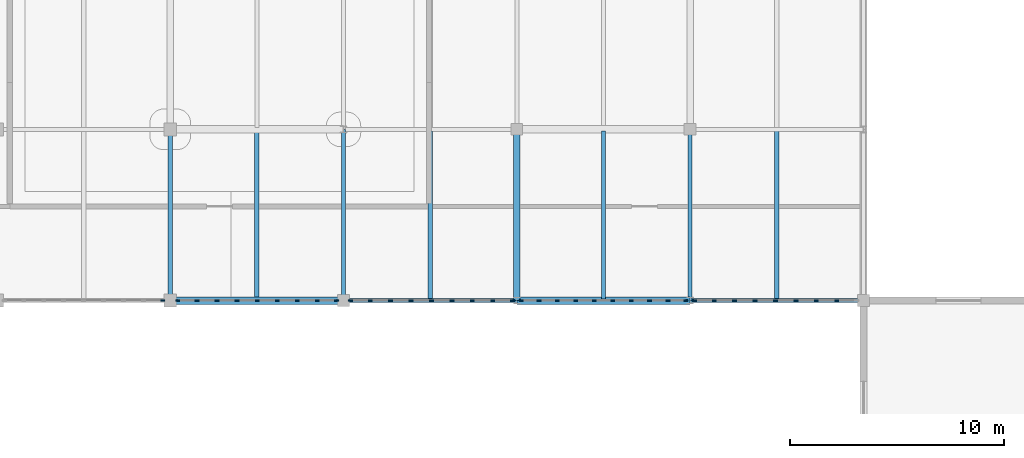
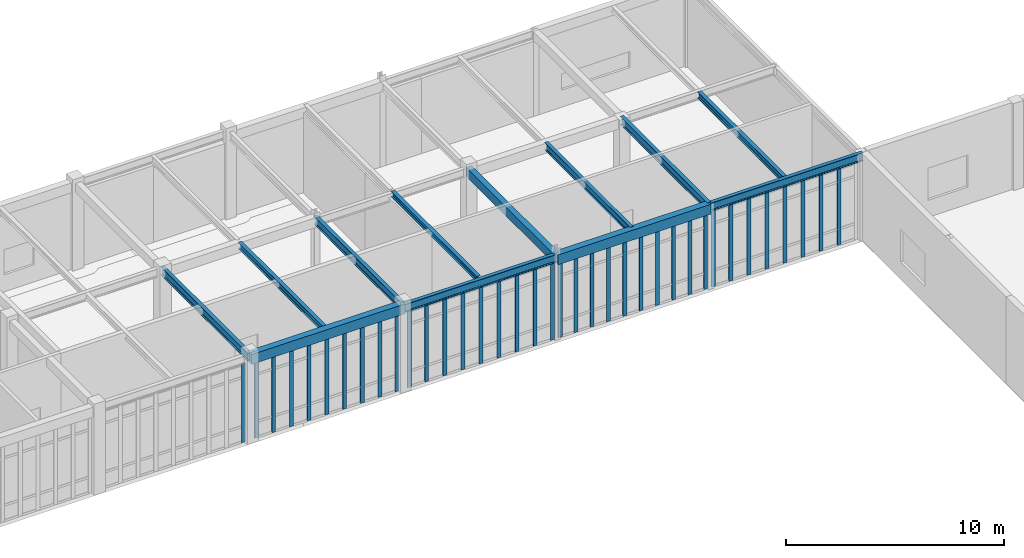
# One storey, part 24 of 70: 37 members, 12 beams, 5 elements without a shape of their own.
"""IFC4 building model written with IfcOpenShell, lengths in metres."""

from ifc_helpers import new_model, si_unit, direction, frame, origin, origin_2d, place, context, subcontext, project, spatial, rectangle, i_section, extrude, material, material_profile, profile_set, type_object, element, aggregate, save


model = new_model("IFC4")

# Units and contexts
model_context = context("Model", 3, precision=1e-05, world=origin(), true_north=direction((0.0, 1.0)))
body_context = subcontext(model_context, "Body", "Model", "MODEL_VIEW")
ifc_project = project(units=[si_unit("LENGTHUNIT", "METRE"), si_unit("AREAUNIT", "SQUARE_METRE"), si_unit("VOLUMEUNIT", "CUBIC_METRE"), si_unit("PLANEANGLEUNIT", "RADIAN"), si_unit("MASSUNIT", "GRAM", prefix="KILO")], contexts=[model_context])

# Site, building, storey
site_placement = place(None, origin())
site = spatial("IfcSite", under=ifc_project, at=site_placement, CompositionType="ELEMENT")
building_placement = place(site_placement, origin())
building = spatial("IfcBuilding", under=site, at=building_placement, Name="Tarnveldt Square Police Headquarters", CompositionType="ELEMENT")
storey_placement = place(building_placement, frame((0.0, 0.0, 19.800048828125)))
storey = spatial("IfcBuildingStorey", under=building, at=storey_placement, Name="L04", CompositionType="ELEMENT", Elevation=19.800048828125)

# Beams
ifc_material_1 = material(Name="Concrete 40 MPa", Category="concrete")
ifc_material_profile_1 = material_profile(ifc_material_1, rectangle(XDim=0.300048828125, YDim=0.5, at=origin_2d()), Name="RC-B300x500")
ifc_profile_set_1 = profile_set([ifc_material_profile_1], Name="Concrete 40 MPa")
beam_type_1 = type_object("IfcBeamType", Name="BM-RC300x500", PredefinedType="BEAM", material=ifc_profile_set_1)
beam_1_placement = place(storey_placement, frame((89.10009765625, 96.0, 4.510009765625), z_axis=(0.0, 1.0, 0.0), x_axis=(-1.0, 0.0, 0.0)))
element("IfcBeam", 1, at=beam_1_placement, inside=storey, type_object=beam_type_1, Name="L05 Grid Girder Y-1003", PredefinedType="BEAM", context=body_context, shape_type="SweptSolid", body=[
    extrude(rectangle(XDim=0.300048828125, YDim=0.5, at=origin_2d()), origin(), (0.0, 0.0, 1.0), 8.0),
])
ifc_material_profile_2 = material_profile(ifc_material_1, rectangle(XDim=0.35009765625, YDim=0.550048828125, at=origin_2d()), Name="RC-B350x550")
ifc_profile_set_2 = profile_set([ifc_material_profile_2], Name="Concrete 40 MPa")
beam_type_2 = type_object("IfcBeamType", Name="BM-RC350x550", PredefinedType="BEAM", material=ifc_profile_set_2)
beam_2_placement = place(storey_placement, frame((72.89990234375, 96.0, 4.5849609375), z_axis=(1.0, 0.0, 0.0), x_axis=(0.0, 1.0, 0.0)))
element("IfcBeam", 2, at=beam_2_placement, inside=storey, type_object=beam_type_2, Name="L05 Grid Girder X-0944", PredefinedType="BEAM", context=body_context, shape_type="SweptSolid", body=[
    extrude(rectangle(XDim=0.35009765625, YDim=0.550048828125, at=origin_2d()), origin(), (0.0, 0.0, 1.0), 8.10009765625),
])
beam_3_placement = place(storey_placement, frame((89.10009765625, 96.0, 4.48486328125), z_axis=(1.0, 0.0, 0.0), x_axis=(0.0, 1.0, 0.0)))
element("IfcBeam", 3, at=beam_3_placement, inside=storey, type_object=beam_type_2, Name="L05 Grid Girder X-0946", PredefinedType="BEAM", context=body_context, shape_type="SweptSolid", body=[
    extrude(rectangle(XDim=0.35009765625, YDim=0.550048828125, at=origin_2d()), origin(), (0.0, 0.0, 1.0), 8.099853515625),
])
ifc_material_2 = material(Name="Steel 350W", Category="steel")
ifc_material_profile_3 = material_profile(ifc_material_2, i_section(OverallWidth=0.202880859375, OverallDepth=0.302978515625, WebThickness=0.007568359375, FlangeThickness=0.01318359375, FilletRadius=0.014892578125, at=origin_2d()), Name="W310x60")
ifc_profile_set_3 = profile_set([ifc_material_profile_3], Name="Steel 350W")
beam_type_3 = type_object("IfcBeamType", Name="BM-W310x60", PredefinedType="JOIST", material=ifc_profile_set_3)
beam_4_placement = place(storey_placement, frame((85.050048828125, 96.080078125, 4.70849609375), z_axis=(0.0, 1.0, 0.0), x_axis=(-1.0, 0.0, 0.0)))
element("IfcBeam", 4, at=beam_4_placement, inside=storey, type_object=beam_type_3, Name="L05 Secondary Floor Joist 0228", PredefinedType="JOIST", context=body_context, shape_type="SweptSolid", body=[
    extrude(i_section(OverallWidth=0.202880859375, OverallDepth=0.302978515625, WebThickness=0.007568359375, FlangeThickness=0.01318359375, FilletRadius=0.014892578125, at=origin_2d()), origin(), (0.0, 0.0, 1.0), 7.83984375),
])
ifc_material_profile_4 = material_profile(ifc_material_2, i_section(OverallWidth=0.202880859375, OverallDepth=0.346923828125, WebThickness=0.0078125, FlangeThickness=0.013427734375, FilletRadius=0.01611328125, at=origin_2d()), Name="W360x64")
ifc_profile_set_4 = profile_set([ifc_material_profile_4], Name="Steel 350W")
beam_type_4 = type_object("IfcBeamType", Name="BM-W360x64", PredefinedType="JOIST", material=ifc_profile_set_4)
beam_5_placement = place(storey_placement, frame((76.949951171875, 96.080078125, 4.6865234375), z_axis=(0.0, 1.0, 0.0), x_axis=(-1.0, 0.0, 0.0)))
element("IfcBeam", 5, at=beam_5_placement, inside=storey, type_object=beam_type_4, Name="L05 Secondary Floor Joist 0227", PredefinedType="JOIST", context=body_context, shape_type="SweptSolid", body=[
    extrude(i_section(OverallWidth=0.202880859375, OverallDepth=0.346923828125, WebThickness=0.0078125, FlangeThickness=0.013427734375, FilletRadius=0.01611328125, at=origin_2d()), origin(), (0.0, 0.0, 1.0), 7.83984375),
])
ifc_material_profile_5 = material_profile(ifc_material_2, i_section(OverallWidth=0.205078125, OverallDepth=0.35400390625, WebThickness=0.009521484375, FlangeThickness=0.016845703125, FilletRadius=0.01611328125, at=origin_2d()), Name="W360x79")
ifc_profile_set_5 = profile_set([ifc_material_profile_5], Name="Steel 350W")
beam_type_5 = type_object("IfcBeamType", Name="BM-W360x79", PredefinedType="JOIST", material=ifc_profile_set_5)
beam_6_placement = place(storey_placement, frame((101.25, 96.080078125, 4.5830078125), z_axis=(0.0, 1.0, 0.0), x_axis=(-1.0, 0.0, 0.0)))
element("IfcBeam", 6, at=beam_6_placement, inside=storey, type_object=beam_type_5, Name="L05 Secondary Floor Joist 0230", PredefinedType="JOIST", context=body_context, shape_type="SweptSolid", body=[
    extrude(i_section(OverallWidth=0.205078125, OverallDepth=0.35400390625, WebThickness=0.009521484375, FlangeThickness=0.016845703125, FilletRadius=0.01611328125, at=origin_2d()), origin(), (0.0, 0.0, 1.0), 7.83984375),
])
ifc_material_profile_6 = material_profile(ifc_material_2, i_section(OverallWidth=0.177978515625, OverallDepth=0.406982421875, WebThickness=0.0078125, FlangeThickness=0.0126953125, FilletRadius=0.01611328125, at=origin_2d()), Name="W410x60")
ifc_profile_set_6 = profile_set([ifc_material_profile_6], Name="Steel 350W")
beam_type_6 = type_object("IfcBeamType", Name="BM-W410x60", PredefinedType="JOIST", material=ifc_profile_set_6)
beam_7_placement = place(storey_placement, frame((93.14990234375, 96.080078125, 4.556396484375), z_axis=(0.0, 1.0, 0.0), x_axis=(-1.0, 0.0, 0.0)))
element("IfcBeam", 7, at=beam_7_placement, inside=storey, type_object=beam_type_6, Name="L05 Secondary Floor Joist 0229", PredefinedType="JOIST", context=body_context, shape_type="SweptSolid", body=[
    extrude(i_section(OverallWidth=0.177978515625, OverallDepth=0.406982421875, WebThickness=0.0078125, FlangeThickness=0.0126953125, FilletRadius=0.01611328125, at=origin_2d()), origin(), (0.0, 0.0, 1.0), 7.83984375),
])
ifc_material_profile_7 = material_profile(ifc_material_2, i_section(OverallWidth=0.19189453125, OverallDepth=0.462890625, WebThickness=0.010498046875, FlangeThickness=0.017578125, FilletRadius=0.01806640625, at=origin_2d()), Name="W460x89")
ifc_profile_set_7 = profile_set([ifc_material_profile_7], Name="Steel 350W")
beam_type_7 = type_object("IfcBeamType", Name="BM-W460x89", PredefinedType="BEAM", material=ifc_profile_set_7)
for number, where, z_axis, x_axis, name in (
    (8, (81.0, 96.0, 4.528564453125), (1.0, 0.0, 0.0), (0.0, 1.0, 0.0), "L05 Grid Girder X-0945"),
    (9, (97.199951171875, 96.0, 4.528564453125), (1.0, 0.0, 0.0), (0.0, 1.0, 0.0), "L05 Grid Girder X-0947"),
):
    element("IfcBeam", number, at=place(storey_placement, frame(where, z_axis=z_axis, x_axis=x_axis)), inside=storey, type_object=beam_type_7, Name=name, PredefinedType="BEAM", context=body_context, shape_type="SweptSolid", body=[
        extrude(i_section(OverallWidth=0.19189453125, OverallDepth=0.462890625, WebThickness=0.010498046875, FlangeThickness=0.017578125, FilletRadius=0.01806640625, at=origin_2d()), origin(), (0.0, 0.0, 1.0), 8.10009765625),
    ])
for number, where, z_axis, x_axis, name in (
    (10, (72.89990234375, 96.0, 4.62841796875), (0.0, 1.0, 0.0), (-1.0, 0.0, 0.0), "L05 Grid Girder Y-0999"),
    (11, (81.0, 96.0, 4.62841796875), (0.0, 1.0, 0.0), (-1.0, 0.0, 0.0), "L05 Grid Girder Y-1001"),
    (12, (97.199951171875, 96.0, 4.528564453125), (0.0, 1.0, 0.0), (-1.0, 0.0, 0.0), "L05 Grid Girder Y-1005"),
):
    element("IfcBeam", number, at=place(storey_placement, frame(where, z_axis=z_axis, x_axis=x_axis)), inside=storey, type_object=beam_type_7, Name=name, PredefinedType="BEAM", context=body_context, shape_type="SweptSolid", body=[
        extrude(i_section(OverallWidth=0.19189453125, OverallDepth=0.462890625, WebThickness=0.010498046875, FlangeThickness=0.017578125, FilletRadius=0.01806640625, at=origin_2d()), origin(), (0.0, 0.0, 1.0), 8.0),
    ])

# Curtain wall, member
ifc_material_3 = material(Name="Triple-glazed low-e laminated vision glass", Category="glass")
curtain_wall_type_1 = type_object("IfcCurtainWallType", Name="CW-LB-747x439", PredefinedType="USERDEFINED", material=ifc_material_3)
curtain_wall_1_placement = place(storey_placement, origin())
curtain_wall_1 = element("IfcCurtainWall", 13, at=curtain_wall_1_placement, inside=storey, type_object=curtain_wall_type_1, Name="L04 Curtain Wall CW-L04-128", ObjectType="GLAZED CURTAIN WALL", PredefinedType="USERDEFINED")
ifc_material_4 = material(Name="Thermally broken anodised aluminium 6063-T6", Category="aluminium")
ifc_material_profile_8 = material_profile(ifc_material_4, rectangle(XDim=0.074951171875, YDim=0.199951171875, at=origin_2d()), Name="CW-M75x200")
ifc_profile_set_8 = profile_set([ifc_material_profile_8], Name="Thermally broken anodised aluminium 6063-T6")
member_type = type_object("IfcMemberType", Name="CWM-75x200", PredefinedType="MULLION", material=ifc_profile_set_8)
member_1_placement = place(storey_placement, frame((72.547607421875, 96.0, 0.0), z_axis=(0.0, 0.0, 1.0), x_axis=(0.0, 1.0, 0.0)))
member_1 = element("IfcMember", 14, at=member_1_placement, type_object=member_type, Name="CW-LB77 mullion 9", PredefinedType="MULLION", context=body_context, shape_type="SweptSolid", body=[
    extrude(rectangle(XDim=0.074951171875, YDim=0.199951171875, at=origin_2d()), origin(), (0.0, 0.0, 1.0), 4.388916015625),
])
aggregate(curtain_wall_1, [member_1])

# Curtain wall, members
curtain_wall_type_2 = type_object("IfcCurtainWallType", Name="CW-LB-749x430", PredefinedType="USERDEFINED", material=ifc_material_3)
curtain_wall_2_placement = place(storey_placement, origin())
curtain_wall_2 = element("IfcCurtainWall", 15, at=curtain_wall_2_placement, inside=storey, type_object=curtain_wall_type_2, Name="L04 Curtain Wall CW-L04-129", ObjectType="GLAZED CURTAIN WALL", PredefinedType="USERDEFINED")
member_2_placement = place(storey_placement, frame((73.25244140625, 96.0, 0.0), z_axis=(0.0, 0.0, 1.0), x_axis=(0.0, 1.0, 0.0)))
member_2 = element("IfcMember", 16, at=member_2_placement, type_object=member_type, Name="CW-LB73 mullion 1", PredefinedType="MULLION", context=body_context, shape_type="SweptSolid", body=[
    extrude(rectangle(XDim=0.074951171875, YDim=0.199951171875, at=origin_2d()), origin(), (0.0, 0.0, 1.0), 4.302001953125),
])
member_3_placement = place(storey_placement, frame((74.15185546875, 96.0, 0.0), z_axis=(0.0, 0.0, 1.0), x_axis=(0.0, 1.0, 0.0)))
member_3 = element("IfcMember", 17, at=member_3_placement, type_object=member_type, Name="CW-LB73 mullion 2", PredefinedType="MULLION", context=body_context, shape_type="SweptSolid", body=[
    extrude(rectangle(XDim=0.074951171875, YDim=0.199951171875, at=origin_2d()), origin(), (0.0, 0.0, 1.0), 4.302001953125),
])
member_4_placement = place(storey_placement, frame((75.0888671875, 96.0, 0.0), z_axis=(0.0, 0.0, 1.0), x_axis=(0.0, 1.0, 0.0)))
member_4 = element("IfcMember", 18, at=member_4_placement, type_object=member_type, Name="CW-LB73 mullion 3", PredefinedType="MULLION", context=body_context, shape_type="SweptSolid", body=[
    extrude(rectangle(XDim=0.074951171875, YDim=0.199951171875, at=origin_2d()), origin(), (0.0, 0.0, 1.0), 4.302001953125),
])
member_5_placement = place(storey_placement, frame((76.025634765625, 96.0, 0.0), z_axis=(0.0, 0.0, 1.0), x_axis=(0.0, 1.0, 0.0)))
member_5 = element("IfcMember", 19, at=member_5_placement, type_object=member_type, Name="CW-LB73 mullion 4", PredefinedType="MULLION", context=body_context, shape_type="SweptSolid", body=[
    extrude(rectangle(XDim=0.074951171875, YDim=0.199951171875, at=origin_2d()), origin(), (0.0, 0.0, 1.0), 4.302001953125),
])
member_6_placement = place(storey_placement, frame((76.96240234375, 96.0, 0.0), z_axis=(0.0, 0.0, 1.0), x_axis=(0.0, 1.0, 0.0)))
member_6 = element("IfcMember", 20, at=member_6_placement, type_object=member_type, Name="CW-LB73 mullion 5", PredefinedType="MULLION", context=body_context, shape_type="SweptSolid", body=[
    extrude(rectangle(XDim=0.074951171875, YDim=0.199951171875, at=origin_2d()), origin(), (0.0, 0.0, 1.0), 4.302001953125),
])
member_7_placement = place(storey_placement, frame((77.8994140625, 96.0, 0.0), z_axis=(0.0, 0.0, 1.0), x_axis=(0.0, 1.0, 0.0)))
member_7 = element("IfcMember", 21, at=member_7_placement, type_object=member_type, Name="CW-LB73 mullion 6", PredefinedType="MULLION", context=body_context, shape_type="SweptSolid", body=[
    extrude(rectangle(XDim=0.074951171875, YDim=0.199951171875, at=origin_2d()), origin(), (0.0, 0.0, 1.0), 4.302001953125),
])
member_8_placement = place(storey_placement, frame((78.836181640625, 96.0, 0.0), z_axis=(0.0, 0.0, 1.0), x_axis=(0.0, 1.0, 0.0)))
member_8 = element("IfcMember", 22, at=member_8_placement, type_object=member_type, Name="CW-LB73 mullion 7", PredefinedType="MULLION", context=body_context, shape_type="SweptSolid", body=[
    extrude(rectangle(XDim=0.074951171875, YDim=0.199951171875, at=origin_2d()), origin(), (0.0, 0.0, 1.0), 4.302001953125),
])
member_9_placement = place(storey_placement, frame((79.773193359375, 96.0, 0.0), z_axis=(0.0, 0.0, 1.0), x_axis=(0.0, 1.0, 0.0)))
member_9 = element("IfcMember", 23, at=member_9_placement, type_object=member_type, Name="CW-LB73 mullion 8", PredefinedType="MULLION", context=body_context, shape_type="SweptSolid", body=[
    extrude(rectangle(XDim=0.074951171875, YDim=0.199951171875, at=origin_2d()), origin(), (0.0, 0.0, 1.0), 4.302001953125),
])
member_10_placement = place(storey_placement, frame((80.672607421875, 96.0, 0.0), z_axis=(0.0, 0.0, 1.0), x_axis=(0.0, 1.0, 0.0)))
member_10 = element("IfcMember", 24, at=member_10_placement, type_object=member_type, Name="CW-LB73 mullion 9", PredefinedType="MULLION", context=body_context, shape_type="SweptSolid", body=[
    extrude(rectangle(XDim=0.074951171875, YDim=0.199951171875, at=origin_2d()), origin(), (0.0, 0.0, 1.0), 4.302001953125),
])
aggregate(curtain_wall_2, [member_2, member_3, member_4, member_5, member_6, member_7, member_8, member_9, member_10])

curtain_wall_type_3 = type_object("IfcCurtainWallType", Name="CW-LB-764x429", PredefinedType="USERDEFINED", material=ifc_material_3)
curtain_wall_3_placement = place(storey_placement, origin())
curtain_wall_3 = element("IfcCurtainWall", 25, at=curtain_wall_3_placement, inside=storey, type_object=curtain_wall_type_3, Name="L04 Curtain Wall CW-L04-130", ObjectType="GLAZED CURTAIN WALL", PredefinedType="USERDEFINED")
member_11_placement = place(storey_placement, frame((81.327392578125, 96.0, 0.0), z_axis=(0.0, 0.0, 1.0), x_axis=(0.0, 1.0, 0.0)))
member_11 = element("IfcMember", 26, at=member_11_placement, type_object=member_type, Name="CW-LB78 mullion 1", PredefinedType="MULLION", context=body_context, shape_type="SweptSolid", body=[
    extrude(rectangle(XDim=0.074951171875, YDim=0.199951171875, at=origin_2d()), origin(), (0.0, 0.0, 1.0), 4.2890625),
])
member_12_placement = place(storey_placement, frame((82.2451171875, 96.0, 0.0), z_axis=(0.0, 0.0, 1.0), x_axis=(0.0, 1.0, 0.0)))
member_12 = element("IfcMember", 27, at=member_12_placement, type_object=member_type, Name="CW-LB78 mullion 2", PredefinedType="MULLION", context=body_context, shape_type="SweptSolid", body=[
    extrude(rectangle(XDim=0.074951171875, YDim=0.199951171875, at=origin_2d()), origin(), (0.0, 0.0, 1.0), 4.2890625),
])
member_13_placement = place(storey_placement, frame((83.2001953125, 96.0, 0.0), z_axis=(0.0, 0.0, 1.0), x_axis=(0.0, 1.0, 0.0)))
member_13 = element("IfcMember", 28, at=member_13_placement, type_object=member_type, Name="CW-LB78 mullion 3", PredefinedType="MULLION", context=body_context, shape_type="SweptSolid", body=[
    extrude(rectangle(XDim=0.074951171875, YDim=0.199951171875, at=origin_2d()), origin(), (0.0, 0.0, 1.0), 4.2890625),
])
member_14_placement = place(storey_placement, frame((84.1552734375, 96.0, 0.0), z_axis=(0.0, 0.0, 1.0), x_axis=(0.0, 1.0, 0.0)))
member_14 = element("IfcMember", 29, at=member_14_placement, type_object=member_type, Name="CW-LB78 mullion 4", PredefinedType="MULLION", context=body_context, shape_type="SweptSolid", body=[
    extrude(rectangle(XDim=0.074951171875, YDim=0.199951171875, at=origin_2d()), origin(), (0.0, 0.0, 1.0), 4.2890625),
])
member_15_placement = place(storey_placement, frame((85.110595703125, 96.0, 0.0), z_axis=(0.0, 0.0, 1.0), x_axis=(0.0, 1.0, 0.0)))
member_15 = element("IfcMember", 30, at=member_15_placement, type_object=member_type, Name="CW-LB78 mullion 5", PredefinedType="MULLION", context=body_context, shape_type="SweptSolid", body=[
    extrude(rectangle(XDim=0.074951171875, YDim=0.199951171875, at=origin_2d()), origin(), (0.0, 0.0, 1.0), 4.2890625),
])
member_16_placement = place(storey_placement, frame((86.065673828125, 96.0, 0.0), z_axis=(0.0, 0.0, 1.0), x_axis=(0.0, 1.0, 0.0)))
member_16 = element("IfcMember", 31, at=member_16_placement, type_object=member_type, Name="CW-LB78 mullion 6", PredefinedType="MULLION", context=body_context, shape_type="SweptSolid", body=[
    extrude(rectangle(XDim=0.074951171875, YDim=0.199951171875, at=origin_2d()), origin(), (0.0, 0.0, 1.0), 4.2890625),
])
member_17_placement = place(storey_placement, frame((87.020751953125, 96.0, 0.0), z_axis=(0.0, 0.0, 1.0), x_axis=(0.0, 1.0, 0.0)))
member_17 = element("IfcMember", 32, at=member_17_placement, type_object=member_type, Name="CW-LB78 mullion 7", PredefinedType="MULLION", context=body_context, shape_type="SweptSolid", body=[
    extrude(rectangle(XDim=0.074951171875, YDim=0.199951171875, at=origin_2d()), origin(), (0.0, 0.0, 1.0), 4.2890625),
])
member_18_placement = place(storey_placement, frame((87.975830078125, 96.0, 0.0), z_axis=(0.0, 0.0, 1.0), x_axis=(0.0, 1.0, 0.0)))
member_18 = element("IfcMember", 33, at=member_18_placement, type_object=member_type, Name="CW-LB78 mullion 8", PredefinedType="MULLION", context=body_context, shape_type="SweptSolid", body=[
    extrude(rectangle(XDim=0.074951171875, YDim=0.199951171875, at=origin_2d()), origin(), (0.0, 0.0, 1.0), 4.2890625),
])
member_19_placement = place(storey_placement, frame((88.8935546875, 96.0, 0.0), z_axis=(0.0, 0.0, 1.0), x_axis=(0.0, 1.0, 0.0)))
member_19 = element("IfcMember", 34, at=member_19_placement, type_object=member_type, Name="CW-LB78 mullion 9", PredefinedType="MULLION", context=body_context, shape_type="SweptSolid", body=[
    extrude(rectangle(XDim=0.074951171875, YDim=0.199951171875, at=origin_2d()), origin(), (0.0, 0.0, 1.0), 4.2890625),
])
aggregate(curtain_wall_3, [member_11, member_12, member_13, member_14, member_15, member_16, member_17, member_18, member_19])

curtain_wall_type_4 = type_object("IfcCurtainWallType", Name="CW-LB-776x420", PredefinedType="USERDEFINED", material=ifc_material_3)
curtain_wall_4_placement = place(storey_placement, origin())
curtain_wall_4 = element("IfcCurtainWall", 35, at=curtain_wall_4_placement, inside=storey, type_object=curtain_wall_type_4, Name="L04 Curtain Wall CW-L04-131", ObjectType="GLAZED CURTAIN WALL", PredefinedType="USERDEFINED")
member_20_placement = place(storey_placement, frame((89.306396484375, 96.0, 0.0), z_axis=(0.0, 0.0, 1.0), x_axis=(0.0, 1.0, 0.0)))
member_20 = element("IfcMember", 36, at=member_20_placement, type_object=member_type, Name="CW-LB79 mullion 1", PredefinedType="MULLION", context=body_context, shape_type="SweptSolid", body=[
    extrude(rectangle(XDim=0.074951171875, YDim=0.199951171875, at=origin_2d()), origin(), (0.0, 0.0, 1.0), 4.201904296875),
])
member_21_placement = place(storey_placement, frame((90.13134765625, 96.0, 0.0), z_axis=(0.0, 0.0, 1.0), x_axis=(0.0, 1.0, 0.0)))
member_21 = element("IfcMember", 37, at=member_21_placement, type_object=member_type, Name="CW-LB79 mullion 2", PredefinedType="MULLION", context=body_context, shape_type="SweptSolid", body=[
    extrude(rectangle(XDim=0.074951171875, YDim=0.199951171875, at=origin_2d()), origin(), (0.0, 0.0, 1.0), 4.201904296875),
])
member_22_placement = place(storey_placement, frame((90.993896484375, 96.0, 0.0), z_axis=(0.0, 0.0, 1.0), x_axis=(0.0, 1.0, 0.0)))
member_22 = element("IfcMember", 38, at=member_22_placement, type_object=member_type, Name="CW-LB79 mullion 3", PredefinedType="MULLION", context=body_context, shape_type="SweptSolid", body=[
    extrude(rectangle(XDim=0.074951171875, YDim=0.199951171875, at=origin_2d()), origin(), (0.0, 0.0, 1.0), 4.201904296875),
])
member_23_placement = place(storey_placement, frame((91.8564453125, 96.0, 0.0), z_axis=(0.0, 0.0, 1.0), x_axis=(0.0, 1.0, 0.0)))
member_23 = element("IfcMember", 39, at=member_23_placement, type_object=member_type, Name="CW-LB79 mullion 4", PredefinedType="MULLION", context=body_context, shape_type="SweptSolid", body=[
    extrude(rectangle(XDim=0.074951171875, YDim=0.199951171875, at=origin_2d()), origin(), (0.0, 0.0, 1.0), 4.201904296875),
])
member_24_placement = place(storey_placement, frame((92.71875, 96.0, 0.0), z_axis=(0.0, 0.0, 1.0), x_axis=(0.0, 1.0, 0.0)))
member_24 = element("IfcMember", 40, at=member_24_placement, type_object=member_type, Name="CW-LB79 mullion 5", PredefinedType="MULLION", context=body_context, shape_type="SweptSolid", body=[
    extrude(rectangle(XDim=0.074951171875, YDim=0.199951171875, at=origin_2d()), origin(), (0.0, 0.0, 1.0), 4.201904296875),
])
member_25_placement = place(storey_placement, frame((93.581298828125, 96.0, 0.0), z_axis=(0.0, 0.0, 1.0), x_axis=(0.0, 1.0, 0.0)))
member_25 = element("IfcMember", 41, at=member_25_placement, type_object=member_type, Name="CW-LB79 mullion 6", PredefinedType="MULLION", context=body_context, shape_type="SweptSolid", body=[
    extrude(rectangle(XDim=0.074951171875, YDim=0.199951171875, at=origin_2d()), origin(), (0.0, 0.0, 1.0), 4.201904296875),
])
member_26_placement = place(storey_placement, frame((94.443603515625, 96.0, 0.0), z_axis=(0.0, 0.0, 1.0), x_axis=(0.0, 1.0, 0.0)))
member_26 = element("IfcMember", 42, at=member_26_placement, type_object=member_type, Name="CW-LB79 mullion 7", PredefinedType="MULLION", context=body_context, shape_type="SweptSolid", body=[
    extrude(rectangle(XDim=0.074951171875, YDim=0.199951171875, at=origin_2d()), origin(), (0.0, 0.0, 1.0), 4.201904296875),
])
member_27_placement = place(storey_placement, frame((95.30615234375, 96.0, 0.0), z_axis=(0.0, 0.0, 1.0), x_axis=(0.0, 1.0, 0.0)))
member_27 = element("IfcMember", 43, at=member_27_placement, type_object=member_type, Name="CW-LB79 mullion 8", PredefinedType="MULLION", context=body_context, shape_type="SweptSolid", body=[
    extrude(rectangle(XDim=0.074951171875, YDim=0.199951171875, at=origin_2d()), origin(), (0.0, 0.0, 1.0), 4.201904296875),
])
member_28_placement = place(storey_placement, frame((96.16845703125, 96.0, 0.0), z_axis=(0.0, 0.0, 1.0), x_axis=(0.0, 1.0, 0.0)))
member_28 = element("IfcMember", 44, at=member_28_placement, type_object=member_type, Name="CW-LB79 mullion 9", PredefinedType="MULLION", context=body_context, shape_type="SweptSolid", body=[
    extrude(rectangle(XDim=0.074951171875, YDim=0.199951171875, at=origin_2d()), origin(), (0.0, 0.0, 1.0), 4.201904296875),
])
member_29_placement = place(storey_placement, frame((96.993408203125, 96.0, 0.0), z_axis=(0.0, 0.0, 1.0), x_axis=(0.0, 1.0, 0.0)))
member_29 = element("IfcMember", 45, at=member_29_placement, type_object=member_type, Name="CW-LB79 mullion 10", PredefinedType="MULLION", context=body_context, shape_type="SweptSolid", body=[
    extrude(rectangle(XDim=0.074951171875, YDim=0.199951171875, at=origin_2d()), origin(), (0.0, 0.0, 1.0), 4.201904296875),
])
aggregate(curtain_wall_4, [member_20, member_21, member_22, member_23, member_24, member_25, member_26, member_27, member_28, member_29])

curtain_wall_5_placement = place(storey_placement, origin())
curtain_wall_5 = element("IfcCurtainWall", 46, at=curtain_wall_5_placement, inside=storey, type_object=curtain_wall_type_3, Name="L04 Curtain Wall CW-L04-132", ObjectType="GLAZED CURTAIN WALL", PredefinedType="USERDEFINED")
member_30_placement = place(storey_placement, frame((97.406494140625, 96.0, 0.0), z_axis=(0.0, 0.0, 1.0), x_axis=(0.0, 1.0, 0.0)))
member_30 = element("IfcMember", 47, at=member_30_placement, type_object=member_type, Name="CW-LB78 mullion 1", PredefinedType="MULLION", context=body_context, shape_type="SweptSolid", body=[
    extrude(rectangle(XDim=0.074951171875, YDim=0.199951171875, at=origin_2d()), origin(), (0.0, 0.0, 1.0), 4.2890625),
])
member_31_placement = place(storey_placement, frame((98.32421875, 96.0, 0.0), z_axis=(0.0, 0.0, 1.0), x_axis=(0.0, 1.0, 0.0)))
member_31 = element("IfcMember", 48, at=member_31_placement, type_object=member_type, Name="CW-LB78 mullion 2", PredefinedType="MULLION", context=body_context, shape_type="SweptSolid", body=[
    extrude(rectangle(XDim=0.074951171875, YDim=0.199951171875, at=origin_2d()), origin(), (0.0, 0.0, 1.0), 4.2890625),
])
member_32_placement = place(storey_placement, frame((99.279296875, 96.0, 0.0), z_axis=(0.0, 0.0, 1.0), x_axis=(0.0, 1.0, 0.0)))
member_32 = element("IfcMember", 49, at=member_32_placement, type_object=member_type, Name="CW-LB78 mullion 3", PredefinedType="MULLION", context=body_context, shape_type="SweptSolid", body=[
    extrude(rectangle(XDim=0.074951171875, YDim=0.199951171875, at=origin_2d()), origin(), (0.0, 0.0, 1.0), 4.2890625),
])
member_33_placement = place(storey_placement, frame((100.234375, 96.0, 0.0), z_axis=(0.0, 0.0, 1.0), x_axis=(0.0, 1.0, 0.0)))
member_33 = element("IfcMember", 50, at=member_33_placement, type_object=member_type, Name="CW-LB78 mullion 4", PredefinedType="MULLION", context=body_context, shape_type="SweptSolid", body=[
    extrude(rectangle(XDim=0.074951171875, YDim=0.199951171875, at=origin_2d()), origin(), (0.0, 0.0, 1.0), 4.2890625),
])
member_34_placement = place(storey_placement, frame((101.189453125, 96.0, 0.0), z_axis=(0.0, 0.0, 1.0), x_axis=(0.0, 1.0, 0.0)))
member_34 = element("IfcMember", 51, at=member_34_placement, type_object=member_type, Name="CW-LB78 mullion 5", PredefinedType="MULLION", context=body_context, shape_type="SweptSolid", body=[
    extrude(rectangle(XDim=0.074951171875, YDim=0.199951171875, at=origin_2d()), origin(), (0.0, 0.0, 1.0), 4.2890625),
])
member_35_placement = place(storey_placement, frame((102.14453125, 96.0, 0.0), z_axis=(0.0, 0.0, 1.0), x_axis=(0.0, 1.0, 0.0)))
member_35 = element("IfcMember", 52, at=member_35_placement, type_object=member_type, Name="CW-LB78 mullion 6", PredefinedType="MULLION", context=body_context, shape_type="SweptSolid", body=[
    extrude(rectangle(XDim=0.074951171875, YDim=0.199951171875, at=origin_2d()), origin(), (0.0, 0.0, 1.0), 4.2890625),
])
member_36_placement = place(storey_placement, frame((103.099853515625, 96.0, 0.0), z_axis=(0.0, 0.0, 1.0), x_axis=(0.0, 1.0, 0.0)))
member_36 = element("IfcMember", 53, at=member_36_placement, type_object=member_type, Name="CW-LB78 mullion 7", PredefinedType="MULLION", context=body_context, shape_type="SweptSolid", body=[
    extrude(rectangle(XDim=0.074951171875, YDim=0.199951171875, at=origin_2d()), origin(), (0.0, 0.0, 1.0), 4.2890625),
])
member_37_placement = place(storey_placement, frame((104.054931640625, 96.0, 0.0), z_axis=(0.0, 0.0, 1.0), x_axis=(0.0, 1.0, 0.0)))
member_37 = element("IfcMember", 54, at=member_37_placement, type_object=member_type, Name="CW-LB78 mullion 8", PredefinedType="MULLION", context=body_context, shape_type="SweptSolid", body=[
    extrude(rectangle(XDim=0.074951171875, YDim=0.199951171875, at=origin_2d()), origin(), (0.0, 0.0, 1.0), 4.2890625),
])
aggregate(curtain_wall_5, [member_30, member_31, member_32, member_33, member_34, member_35, member_36, member_37])

save(model, "model.ifc")
